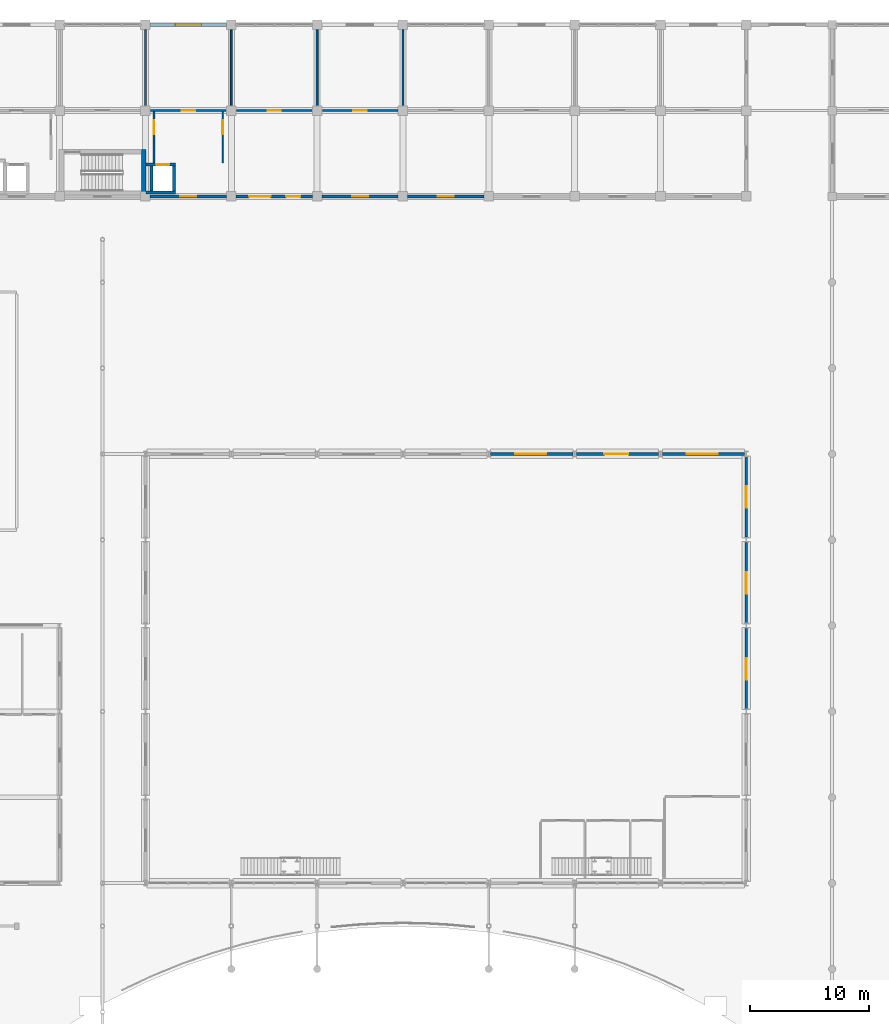
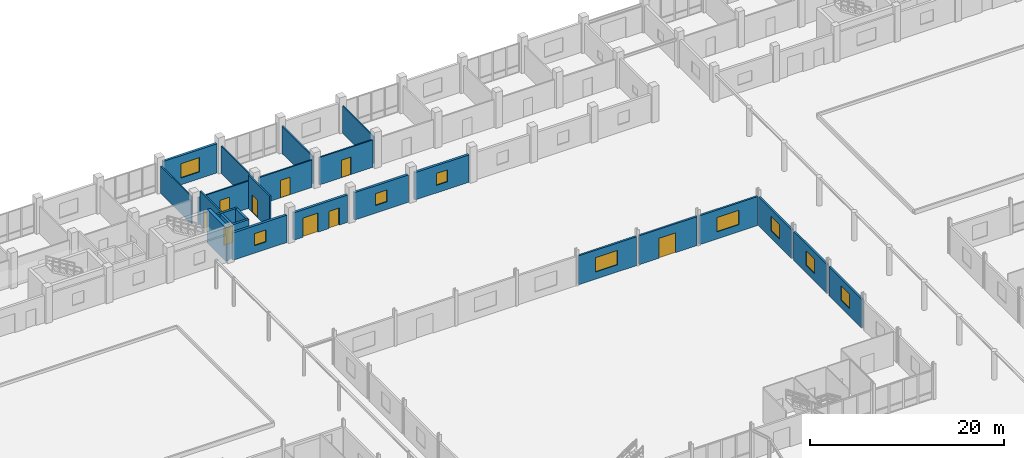
# One storey, part 118 of 139: 25 walls, 9 doors, 9 windows, 18 openings.
"""IFC4 building model written with IfcOpenShell, lengths in metres."""

import ifcopenshell
import ifcopenshell.guid

model = None  # the IFC model being written
_history = None  # IfcOwnerHistory: only IFC2X3 demands one
_inside = {}  # id of a spatial element -> (the spatial element, [elements in it])
_under = {}  # id of a project, library or spatial element -> (it, [spatial elements below it])
_declared = {}  # id of a project -> (the project, [libraries it declares])
_typed = {}  # id of a type object -> (the type object, [elements of that type])
_made_of = {}  # id of a material, layer set ... -> (it, [elements and type objects made of it])


def new_model(schema):
    """Start an empty IFC model of exactly this schema.

    Asked for "IFC4X3", IfcOpenShell would pick the latest addendum, in which some entities
    have other attributes; the version numbers below select the first issue.
    IFC2X3 requires an IfcOwnerHistory on every rooted entity: one is made here for all.
    """
    global model, _history
    if schema == "IFC4X3":
        model = ifcopenshell.file(schema_version=(4, 3, 0, 0))
    else:
        model = ifcopenshell.file(schema=schema)
    _inside.clear()
    _under.clear()
    _declared.clear()
    _typed.clear()
    _made_of.clear()
    _history = None
    if model.schema == "IFC2X3":
        org = make("IfcOrganization", Name="unknown")
        user = make(
            "IfcPersonAndOrganization",
            ThePerson=make("IfcPerson", FamilyName="unknown"),
            TheOrganization=org,
        )
        app = make(
            "IfcApplication",
            ApplicationDeveloper=org,
            Version="unknown",
            ApplicationFullName="unknown",
            ApplicationIdentifier="unknown",
        )
        _history = make(
            "IfcOwnerHistory",
            OwningUser=user,
            OwningApplication=app,
            ChangeAction="ADDED",
            CreationDate=0,
        )
    return model


def make(cls, **values):
    """One entity of the class cls with the attributes given. An attribute that is None is left unset."""
    return model.create_entity(
        cls, **{name: value for name, value in values.items() if value is not None}
    )


def rooted(cls, **values):
    """An entity with a GlobalId (a new one), such as an element, a storey or a relation."""
    return make(cls, GlobalId=ifcopenshell.guid.new(), OwnerHistory=_history, **values)


def si_unit(unit_type, name, prefix=None):
    """IfcSIUnit, for example si_unit("LENGTHUNIT", "METRE", prefix="MILLI")."""
    return make("IfcSIUnit", UnitType=unit_type, Prefix=prefix, Name=name)


def assignment(units):
    """IfcUnitAssignment: the units of a project."""
    return None if units is None else make("IfcUnitAssignment", Units=units)


def point(xyz):
    """IfcCartesianPoint."""
    return None if xyz is None else make("IfcCartesianPoint", Coordinates=xyz)


def direction(xyz):
    """IfcDirection."""
    return None if xyz is None else make("IfcDirection", DirectionRatios=xyz)


def frame(location, z_axis=None, x_axis=None):
    """IfcAxis2Placement3D, a coordinate frame: its origin and axes. An axis left out is left unset."""
    return make(
        "IfcAxis2Placement3D",
        Location=point(location),
        Axis=direction(z_axis),
        RefDirection=direction(x_axis),
    )


def frame_2d(location, x_axis=None):
    """IfcAxis2Placement2D, a coordinate frame in the plane: its origin and x axis."""
    return make(
        "IfcAxis2Placement2D", Location=point(location), RefDirection=direction(x_axis)
    )


def origin():
    """The frame at (0, 0, 0) with its axes left unset."""
    return frame((0.0, 0.0, 0.0))


def place(relative_to, where):
    """IfcLocalPlacement: puts the frame where relative to a parent placement (None: the world)."""
    return make(
        "IfcLocalPlacement", PlacementRelTo=relative_to, RelativePlacement=where
    )


def context(
    kind, dimensions, precision=None, world=None, true_north=None, identifier=None
):
    """IfcGeometricRepresentationContext, for example the 3D "Model" context."""
    return make(
        "IfcGeometricRepresentationContext",
        ContextIdentifier=identifier,
        ContextType=kind,
        CoordinateSpaceDimension=dimensions,
        Precision=precision,
        WorldCoordinateSystem=world,
        TrueNorth=true_north,
    )


def subcontext(parent, identifier, kind, view, scale=None):
    """IfcGeometricRepresentationSubContext, for example "Body" below "Model"."""
    return make(
        "IfcGeometricRepresentationSubContext",
        ContextIdentifier=identifier,
        ContextType=kind,
        ParentContext=parent,
        TargetScale=scale,
        TargetView=view,
    )


def project(units=None, contexts=None):
    """IfcProject with its units and contexts."""
    return rooted(
        "IfcProject",
        Name="project",
        RepresentationContexts=contexts,
        UnitsInContext=assignment(units),
    )


def spatial(cls, under=None, at=None, **own):
    """A site, building, storey or space (cls), placed at a placement, below another one or the project."""
    s = rooted(cls, ObjectPlacement=at, **own)
    if under is not None:
        _under.setdefault(under.id(), (under, []))[1].append(s)
    return s


def profile(cls, at=None, kind="AREA", **sizes):
    """A parametric profile (cls). Its sizes go by their IFC names, for example OverallWidth=200.0."""
    return make(cls, ProfileType=kind, Position=at, **sizes)


def rectangle(**sizes):
    """IfcRectangleProfileDef."""
    return profile("IfcRectangleProfileDef", **sizes)


def extrude(swept, where, along, depth):
    """IfcExtrudedAreaSolid: the profile swept, set in the frame where, extruded along a direction by depth."""
    return make(
        "IfcExtrudedAreaSolid",
        SweptArea=swept,
        Position=where,
        ExtrudedDirection=direction(along),
        Depth=depth,
    )


def shape(context_of_items, identifier, shape_type, items):
    """IfcShapeRepresentation: the items that make up one representation, for example the "Body"."""
    return make(
        "IfcShapeRepresentation",
        ContextOfItems=context_of_items,
        RepresentationIdentifier=identifier,
        RepresentationType=shape_type,
        Items=items,
    )


def material(Name=None, Category=None):
    """IfcMaterial."""
    return make("IfcMaterial", Name=Name, Category=Category)


def layer(
    of_material, thickness, ventilated=None, Name=None, Category=None, Priority=None
):
    """IfcMaterialLayer: one layer of a wall or slab, of a material (None: an air gap)."""
    return make(
        "IfcMaterialLayer",
        Material=of_material,
        LayerThickness=thickness,
        IsVentilated=ventilated,
        Name=Name,
        Category=Category,
        Priority=Priority,
    )


def layer_set(layers, Name=None):
    """IfcMaterialLayerSet."""
    return make("IfcMaterialLayerSet", MaterialLayers=layers, LayerSetName=Name)


def made_of(thing, what):
    """Note that an element or type object is made of a material, layer set ...; save() writes the relation."""
    if what is not None:
        _made_of.setdefault(what.id(), (what, []))[1].append(thing)
    return thing


def type_object(cls, material=None, **own):
    """A type object (cls), such as IfcWallType, which elements share."""
    return made_of(rooted(cls, **own), material)


def element(
    cls,
    number,
    at=None,
    inside=None,
    cuts=None,
    type_object=None,
    material=None,
    context=None,
    identifier="Body",
    shape_type=None,
    held_by="IfcProductDefinitionShape",
    body=None,
    shapes=None,
    **own,
):
    """One element of the class cls, such as IfcWall. Its Tag is "e" and its number.

    at: its placement. inside: the storey or other place that contains it. cuts: it is an
    opening in that element (IfcRelVoidsElement). A single representation is given by context,
    identifier, shape_type and body (its items); several are given by shapes. held_by: the class
    of the entity that holds the representations. save() writes the other relations.
    """
    e = rooted(cls, Tag="e%d" % number, ObjectPlacement=at, **own)
    if body is not None:
        shapes = [shape(context, identifier, shape_type, body)]
    if shapes is not None:
        e.Representation = make(held_by, Representations=shapes)
    if inside is not None:
        _inside.setdefault(inside.id(), (inside, []))[1].append(e)
    if cuts is not None:
        rooted(
            "IfcRelVoidsElement", RelatingBuildingElement=cuts, RelatedOpeningElement=e
        )
    if type_object is not None:
        _typed.setdefault(type_object.id(), (type_object, []))[1].append(e)
    return made_of(e, material)


def fill(opening, filler):
    """IfcRelFillsElement: the door or window that sits in an opening."""
    return rooted(
        "IfcRelFillsElement",
        RelatingOpeningElement=opening,
        RelatedBuildingElement=filler,
    )


def aggregate(whole, parts):
    """IfcRelAggregates: a whole, such as a stair, and the parts it consists of."""
    return rooted("IfcRelAggregates", RelatingObject=whole, RelatedObjects=parts)


def save(model, path):
    """Write the relations noted so far, then the file.

    IfcRelAggregates (storeys below a building ...), IfcRelContainedInSpatialStructure (elements
    in a storey), IfcRelDefinesByType, IfcRelAssociatesMaterial and IfcRelDeclares: one each for
    every whole, place, type object, material and project.
    """
    for whole, parts in _under.values():
        aggregate(whole, parts)
    for where, things in _inside.values():
        rooted(
            "IfcRelContainedInSpatialStructure",
            RelatedElements=things,
            RelatingStructure=where,
        )
    for kind, things in _typed.values():
        rooted("IfcRelDefinesByType", RelatedObjects=things, RelatingType=kind)
    for what, things in _made_of.values():
        rooted("IfcRelAssociatesMaterial", RelatedObjects=things, RelatingMaterial=what)
    for by, libraries in _declared.values():
        rooted("IfcRelDeclares", RelatingContext=by, RelatedDefinitions=libraries)
    model.write(path)


model = new_model("IFC4")

# Units and contexts
model_context = context("Model", 3, precision=1e-05, world=origin(), true_north=direction((0.0, 1.0)))
body_context = subcontext(model_context, "Body", "Model", "MODEL_VIEW")
ifc_project = project(units=[si_unit("LENGTHUNIT", "METRE"), si_unit("AREAUNIT", "SQUARE_METRE"), si_unit("VOLUMEUNIT", "CUBIC_METRE"), si_unit("PLANEANGLEUNIT", "RADIAN"), si_unit("MASSUNIT", "GRAM", prefix="KILO")], contexts=[model_context])

# Site, building, storey
site_placement = place(None, origin())
site = spatial("IfcSite", under=ifc_project, at=site_placement, CompositionType="ELEMENT")
building_placement = place(site_placement, origin())
building = spatial("IfcBuilding", under=site, at=building_placement, Name="Suanplinth Sawtooth Commons", CompositionType="ELEMENT")
storey_placement = place(building_placement, origin())
storey = spatial("IfcBuildingStorey", under=building, at=storey_placement, Name="L00", CompositionType="ELEMENT", Elevation=0.0)

# Wall
ifc_material_1 = material(Name="Concrete C40/50", Category="concrete")
ifc_layer_1 = layer(ifc_material_1, 0.3798828125, Name="Lower high-rise RC core shear wall 380mm")
ifc_layer_set_1 = layer_set([ifc_layer_1], Name="Concrete C40/50")
wall_type_1 = type_object("IfcWallType", Name="W-CR01", PredefinedType="SHEAR", material=ifc_layer_set_1)
wall_1_placement = place(storey_placement, frame((64.639892578125, 108.070068359375, 0.0), z_axis=(0.0, 0.0, 1.0), x_axis=(0.0, 1.0, 0.0)))
element("IfcWall", 1, at=wall_1_placement, inside=storey, type_object=wall_type_1, Name="W-L00-C-A2-STE", PredefinedType="SHEAR", context=body_context, shape_type="SweptSolid", body=[
    extrude(rectangle(XDim=3.85986328125, YDim=0.3798828125, at=frame_2d((1.929931640625, 0.0))), origin(), (0.0, 0.0, 1.0), 4.199951171875),
])

# Wall, opening, window
ifc_material_2 = material(Name="Precast concrete C40/50", Category="concrete")
ifc_layer_2 = layer(ifc_material_2, 0.280029296875, Name="Insulated precast architectural facade wall 280mm")
ifc_layer_set_2 = layer_set([ifc_layer_2], Name="Precast concrete C40/50")
wall_type_2 = type_object("IfcWallType", Name="W-EX01", PredefinedType="ELEMENTEDWALL", material=ifc_layer_set_2)
wall_2_placement = place(storey_placement, frame((65.199951171875, 122.39990234375, 0.0), z_axis=(0.0, 0.0, 1.0), x_axis=(1.0, 0.0, 0.0)))
wall_2 = element("IfcWall", 2, at=wall_2_placement, inside=storey, type_object=wall_type_2, Name="Facade Wall W-L00-A-N-9", PredefinedType="ELEMENTEDWALL", context=body_context, shape_type="SweptSolid", body=[
    extrude(rectangle(XDim=6.400146484375, YDim=0.280029296875, at=frame_2d((3.2001953125, 0.0))), origin(), (0.0, 0.0, 1.0), 3.6650390625),
])
opening_1_placement = place(wall_2_placement, frame((2.10009765625, 0.0, 0.85009765625)))
opening_1 = element("IfcOpeningElement", 3, at=opening_1_placement, cuts=wall_2, Name="Opening W0085", PredefinedType="OPENING", context=body_context, shape_type="SweptSolid", body=[
    extrude(rectangle(XDim=2.199951171875, YDim=1.800048828125, at=frame_2d((1.10009765625, 0.89990234375))), frame((0.0, 0.15478515625, 0.0), z_axis=(0.0, -1.0, 0.0), x_axis=(1.0, 0.0, 0.0)), (0.0, 0.0, 1.0), 0.309814453125),
])
ifc_material_3 = material(Name="Thermally broken aluminium and low-E double glazing", Category="aluminium")
window_type_1 = type_object("IfcWindowType", Name="WN-11", PartitioningType="TRIPLE_PANEL_VERTICAL", PredefinedType="WINDOW", material=ifc_material_3)
window_1_placement = place(opening_1_placement, origin())
window_1 = element("IfcWindow", 4, at=window_1_placement, inside=storey, type_object=window_type_1, Name="Shopfront Window A-9", OverallHeight=1.800048828125, OverallWidth=2.199951171875, PartitioningType="TRIPLE_PANEL_VERTICAL", PredefinedType="WINDOW", context=body_context, shape_type="SweptSolid", body=[
    extrude(rectangle(XDim=2.199951171875, YDim=1.800048828125, at=frame_2d((1.10009765625, 0.89990234375))), frame((0.0, 0.030029296875, 0.0), z_axis=(0.0, -1.0, 0.0), x_axis=(1.0, 0.0, 0.0)), (0.0, 0.0, 1.0), 0.06005859375),
])
fill(opening_1, window_1)

wall_3_placement = place(storey_placement, frame((65.199951171875, 108.0, 0.0), z_axis=(0.0, 0.0, 1.0), x_axis=(1.0, 0.0, 0.0)))
wall_3 = element("IfcWall", 5, at=wall_3_placement, inside=storey, type_object=wall_type_2, Name="Courtyard Wall W-L00-A-S-9", PredefinedType="ELEMENTEDWALL", context=body_context, shape_type="SweptSolid", body=[
    extrude(rectangle(XDim=6.400146484375, YDim=0.280029296875, at=frame_2d((3.2001953125, 0.0))), origin(), (0.0, 0.0, 1.0), 3.43505859375),
])
opening_2_placement = place(wall_3_placement, frame((2.52490234375, 0.0, 0.949951171875)))
opening_2 = element("IfcOpeningElement", 6, at=opening_2_placement, cuts=wall_3, Name="Opening W0086", PredefinedType="OPENING", context=body_context, shape_type="SweptSolid", body=[
    extrude(rectangle(XDim=1.35009765625, YDim=1.5, at=frame_2d((0.675048828125, 0.75))), frame((0.0, 0.15478515625, 0.0), z_axis=(0.0, -1.0, 0.0), x_axis=(1.0, 0.0, 0.0)), (0.0, 0.0, 1.0), 0.309814453125),
])
window_type_2 = type_object("IfcWindowType", Name="WN-14", PartitioningType="SINGLE_PANEL", PredefinedType="WINDOW", material=ifc_material_3)
window_2_placement = place(opening_2_placement, origin())
window_2 = element("IfcWindow", 7, at=window_2_placement, inside=storey, type_object=window_type_2, Name="Courtyard Window L00-A-9", OverallHeight=1.5, OverallWidth=1.35009765625, PartitioningType="SINGLE_PANEL", PredefinedType="WINDOW", context=body_context, shape_type="SweptSolid", body=[
    extrude(rectangle(XDim=1.35009765625, YDim=1.5, at=frame_2d((0.675048828125, 0.75))), frame((0.0, 0.030029296875, 0.0), z_axis=(0.0, -1.0, 0.0), x_axis=(1.0, 0.0, 0.0)), (0.0, 0.0, 1.0), 0.06005859375),
])
fill(opening_2, window_2)

# Wall, openings, doors
wall_4_placement = place(storey_placement, frame((72.39990234375, 108.0, 0.0), z_axis=(0.0, 0.0, 1.0), x_axis=(1.0, 0.0, 0.0)))
wall_4 = element("IfcWall", 8, at=wall_4_placement, inside=storey, type_object=wall_type_2, Name="Courtyard Wall W-L00-A-S-10", PredefinedType="ELEMENTEDWALL", context=body_context, shape_type="SweptSolid", body=[
    extrude(rectangle(XDim=6.400146484375, YDim=0.280029296875, at=frame_2d((3.2001953125, 0.0))), origin(), (0.0, 0.0, 1.0), 3.43505859375),
])
opening_3_placement = place(wall_4_placement, frame((1.10009765625, 0.0, 0.0)))
opening_3 = element("IfcOpeningElement", 9, at=opening_3_placement, cuts=wall_4, Name="Opening ED0024", PredefinedType="OPENING", context=body_context, shape_type="SweptSolid", body=[
    extrude(rectangle(XDim=1.800048828125, YDim=2.39990234375, at=frame_2d((0.89990234375, 1.199951171875))), frame((0.0, 0.15478515625, 0.0), z_axis=(0.0, -1.0, 0.0), x_axis=(1.0, 0.0, 0.0)), (0.0, 0.0, 1.0), 0.309814453125),
])
opening_4_placement = place(wall_4_placement, frame((4.199951171875, 0.0, 0.0)))
opening_4 = element("IfcOpeningElement", 10, at=opening_4_placement, cuts=wall_4, Name="Opening ED0025", PredefinedType="OPENING", context=body_context, shape_type="SweptSolid", body=[
    extrude(rectangle(XDim=1.199951171875, YDim=2.14990234375, at=frame_2d((0.60009765625, 1.074951171875))), frame((0.0, 0.15478515625, 0.0), z_axis=(0.0, -1.0, 0.0), x_axis=(1.0, 0.0, 0.0)), (0.0, 0.0, 1.0), 0.309814453125),
])
ifc_material_4 = material(Name="Anodized aluminium and laminated glass", Category="aluminium")
door_type_1 = type_object("IfcDoorType", Name="ED-01", OperationType="DOUBLE_DOOR_SINGLE_SWING", PredefinedType="DOOR", material=ifc_material_4)
door_1_placement = place(opening_3_placement, frame((1.800048828125, 0.0, 0.0), z_axis=(0.0, 0.0, 1.0), x_axis=(-1.0, 0.0, 0.0)))
door_1 = element("IfcDoor", 11, at=door_1_placement, inside=storey, type_object=door_type_1, Name="Wing A East Courtyard Entrance 10", OperationType="DOUBLE_DOOR_SINGLE_SWING", OverallHeight=2.39990234375, OverallWidth=1.800048828125, PredefinedType="DOOR", context=body_context, shape_type="SweptSolid", body=[
    extrude(rectangle(XDim=1.800048828125, YDim=2.39990234375, at=frame_2d((0.89990234375, 1.199951171875))), frame((0.0, 0.02490234375, 0.0), z_axis=(0.0, -1.0, 0.0), x_axis=(1.0, 0.0, 0.0)), (0.0, 0.0, 1.0), 0.050048828125),
])
fill(opening_3, door_1)
ifc_material_5 = material(Name="Galvanized painted steel", Category="steel")
door_type_2 = type_object("IfcDoorType", Name="ED-07", OperationType="NOTDEFINED", PredefinedType="DOOR", material=ifc_material_5)
door_2_placement = place(opening_4_placement, frame((1.199951171875, 0.0, 0.0), z_axis=(0.0, 0.0, 1.0), x_axis=(-1.0, 0.0, 0.0)))
door_2 = element("IfcDoor", 12, at=door_2_placement, inside=storey, type_object=door_type_2, Name="Stair Final Discharge A-10", OperationType="SINGLE_SWING_LEFT", OverallHeight=2.14990234375, OverallWidth=1.199951171875, PredefinedType="DOOR", context=body_context, shape_type="SweptSolid", body=[
    extrude(rectangle(XDim=1.199951171875, YDim=2.14990234375, at=frame_2d((0.60009765625, 1.074951171875))), frame((0.0, 0.02490234375, 0.0), z_axis=(0.0, -1.0, 0.0), x_axis=(1.0, 0.0, 0.0)), (0.0, 0.0, 1.0), 0.050048828125),
])
fill(opening_4, door_2)

# Wall, opening, window
wall_5_placement = place(storey_placement, frame((79.60009765625, 108.0, 0.0), z_axis=(0.0, 0.0, 1.0), x_axis=(1.0, 0.0, 0.0)))
wall_5 = element("IfcWall", 13, at=wall_5_placement, inside=storey, type_object=wall_type_2, Name="Courtyard Wall W-L00-A-S-11", PredefinedType="ELEMENTEDWALL", context=body_context, shape_type="SweptSolid", body=[
    extrude(rectangle(XDim=6.39990234375, YDim=0.280029296875, at=frame_2d((3.199951171875, 0.0))), origin(), (0.0, 0.0, 1.0), 3.43505859375),
])
opening_5_placement = place(wall_5_placement, frame((2.52490234375, 0.0, 0.949951171875)))
opening_5 = element("IfcOpeningElement", 14, at=opening_5_placement, cuts=wall_5, Name="Opening W0088", PredefinedType="OPENING", context=body_context, shape_type="SweptSolid", body=[
    extrude(rectangle(XDim=1.35009765625, YDim=1.5, at=frame_2d((0.675048828125, 0.75))), frame((0.0, 0.15478515625, 0.0), z_axis=(0.0, -1.0, 0.0), x_axis=(1.0, 0.0, 0.0)), (0.0, 0.0, 1.0), 0.309814453125),
])
window_3_placement = place(opening_5_placement, origin())
window_3 = element("IfcWindow", 15, at=window_3_placement, inside=storey, type_object=window_type_2, Name="Courtyard Window L00-A-11", OverallHeight=1.5, OverallWidth=1.35009765625, PartitioningType="SINGLE_PANEL", PredefinedType="WINDOW", context=body_context, shape_type="SweptSolid", body=[
    extrude(rectangle(XDim=1.35009765625, YDim=1.5, at=frame_2d((0.675048828125, 0.75))), frame((0.0, 0.030029296875, 0.0), z_axis=(0.0, -1.0, 0.0), x_axis=(1.0, 0.0, 0.0)), (0.0, 0.0, 1.0), 0.06005859375),
])
fill(opening_5, window_3)

wall_6_placement = place(storey_placement, frame((86.800048828125, 108.0, 0.0), z_axis=(0.0, 0.0, 1.0), x_axis=(1.0, 0.0, 0.0)))
wall_6 = element("IfcWall", 16, at=wall_6_placement, inside=storey, type_object=wall_type_2, Name="Courtyard Wall W-L00-A-S-12", PredefinedType="ELEMENTEDWALL", context=body_context, shape_type="SweptSolid", body=[
    extrude(rectangle(XDim=6.39990234375, YDim=0.280029296875, at=frame_2d((3.199951171875, 0.0))), origin(), (0.0, 0.0, 1.0), 3.43505859375),
])
opening_6_placement = place(wall_6_placement, frame((2.52490234375, 0.0, 0.949951171875)))
opening_6 = element("IfcOpeningElement", 17, at=opening_6_placement, cuts=wall_6, Name="Opening W0089", PredefinedType="OPENING", context=body_context, shape_type="SweptSolid", body=[
    extrude(rectangle(XDim=1.35009765625, YDim=1.5, at=frame_2d((0.675048828125, 0.75))), frame((0.0, 0.15478515625, 0.0), z_axis=(0.0, -1.0, 0.0), x_axis=(1.0, 0.0, 0.0)), (0.0, 0.0, 1.0), 0.309814453125),
])
window_4_placement = place(opening_6_placement, origin())
window_4 = element("IfcWindow", 18, at=window_4_placement, inside=storey, type_object=window_type_2, Name="Courtyard Window L00-A-12", OverallHeight=1.5, OverallWidth=1.35009765625, PartitioningType="SINGLE_PANEL", PredefinedType="WINDOW", context=body_context, shape_type="SweptSolid", body=[
    extrude(rectangle(XDim=1.35009765625, YDim=1.5, at=frame_2d((0.675048828125, 0.75))), frame((0.0, 0.030029296875, 0.0), z_axis=(0.0, -1.0, 0.0), x_axis=(1.0, 0.0, 0.0)), (0.0, 0.0, 1.0), 0.06005859375),
])
fill(opening_6, window_4)

ifc_layer_3 = layer(ifc_material_2, 0.219970703125, Name="Civic pavilion insulated facade wall 220mm")
ifc_layer_set_3 = layer_set([ifc_layer_3], Name="Precast concrete C40/50")
wall_type_3 = type_object("IfcWallType", Name="W-EX05", PredefinedType="ELEMENTEDWALL", material=ifc_layer_set_3)
wall_7_placement = place(storey_placement, frame((93.75, 86.39990234375, 0.0), z_axis=(0.0, 0.0, 1.0), x_axis=(1.0, 0.0, 0.0)))
wall_7 = element("IfcWall", 19, at=wall_7_placement, inside=storey, type_object=wall_type_3, Name="Hall North Facade Wall L00-4", PredefinedType="ELEMENTEDWALL", context=body_context, shape_type="SweptSolid", body=[
    extrude(rectangle(XDim=6.89990234375, YDim=0.219970703125, at=frame_2d((3.449951171875, 0.0))), origin(), (0.0, 0.0, 1.0), 3.635009765625),
])
opening_7_placement = place(wall_7_placement, frame((2.050048828125, 0.0, 0.89990234375)))
opening_7 = element("IfcOpeningElement", 20, at=opening_7_placement, cuts=wall_7, Name="Opening W0004", PredefinedType="OPENING", context=body_context, shape_type="SweptSolid", body=[
    extrude(rectangle(XDim=2.60009765625, YDim=1.800048828125, at=frame_2d((1.300048828125, 0.89990234375))), frame((0.0, 0.125, 0.0), z_axis=(0.0, -1.0, 0.0), x_axis=(1.0, 0.0, 0.0)), (0.0, 0.0, 1.0), 0.249755859375),
])
window_type_3 = type_object("IfcWindowType", Name="WN-13", PartitioningType="TRIPLE_PANEL_VERTICAL", PredefinedType="WINDOW", material=ifc_material_3)
window_5_placement = place(opening_7_placement, origin())
window_5 = element("IfcWindow", 21, at=window_5_placement, inside=storey, type_object=window_type_3, Name="Hall North Window L00-4", OverallHeight=1.800048828125, OverallWidth=2.60009765625, PartitioningType="TRIPLE_PANEL_VERTICAL", PredefinedType="WINDOW", context=body_context, shape_type="SweptSolid", body=[
    extrude(rectangle(XDim=2.60009765625, YDim=1.800048828125, at=frame_2d((1.300048828125, 0.89990234375))), frame((0.0, 0.030029296875, 0.0), z_axis=(0.0, -1.0, 0.0), x_axis=(1.0, 0.0, 0.0)), (0.0, 0.0, 1.0), 0.06005859375),
])
fill(opening_7, window_5)

# Wall, opening, door
wall_8_placement = place(storey_placement, frame((100.949951171875, 86.39990234375, 0.0), z_axis=(0.0, 0.0, 1.0), x_axis=(1.0, 0.0, 0.0)))
wall_8 = element("IfcWall", 22, at=wall_8_placement, inside=storey, type_object=wall_type_3, Name="Hall North Facade Wall L00-5", PredefinedType="ELEMENTEDWALL", context=body_context, shape_type="SweptSolid", body=[
    extrude(rectangle(XDim=6.900146484375, YDim=0.219970703125, at=frame_2d((3.4501953125, 0.0))), origin(), (0.0, 0.0, 1.0), 3.635009765625),
])
opening_8_placement = place(wall_8_placement, frame((2.35009765625, 0.0, 0.0)))
opening_8 = element("IfcOpeningElement", 23, at=opening_8_placement, cuts=wall_8, Name="Opening ED0008", PredefinedType="OPENING", context=body_context, shape_type="SweptSolid", body=[
    extrude(rectangle(XDim=2.0, YDim=2.5, at=frame_2d((1.0, 1.25))), frame((0.0, 0.125, 0.0), z_axis=(0.0, -1.0, 0.0), x_axis=(1.0, 0.0, 0.0)), (0.0, 0.0, 1.0), 0.249755859375),
])
door_type_3 = type_object("IfcDoorType", Name="ED-02", OperationType="DOUBLE_DOOR_SINGLE_SWING", PredefinedType="DOOR", material=ifc_material_4)
door_3_placement = place(opening_8_placement, frame((2.0, 0.0, 0.0), z_axis=(0.0, 0.0, 1.0), x_axis=(-1.0, 0.0, 0.0)))
door_3 = element("IfcDoor", 24, at=door_3_placement, inside=storey, type_object=door_type_3, Name="Hall North Courtyard Exit 5", OperationType="DOUBLE_DOOR_SINGLE_SWING", OverallHeight=2.5, OverallWidth=2.0, PredefinedType="DOOR", context=body_context, shape_type="SweptSolid", body=[
    extrude(rectangle(XDim=2.0, YDim=2.5, at=frame_2d((1.0, 1.25))), frame((0.0, 0.02490234375, 0.0), z_axis=(0.0, -1.0, 0.0), x_axis=(1.0, 0.0, 0.0)), (0.0, 0.0, 1.0), 0.050048828125),
])
fill(opening_8, door_3)

# Wall, opening, window
wall_9_placement = place(storey_placement, frame((108.14990234375, 86.39990234375, 0.0), z_axis=(0.0, 0.0, 1.0), x_axis=(1.0, 0.0, 0.0)))
wall_9 = element("IfcWall", 25, at=wall_9_placement, inside=storey, type_object=wall_type_3, Name="Hall North Facade Wall L00-6", PredefinedType="ELEMENTEDWALL", context=body_context, shape_type="SweptSolid", body=[
    extrude(rectangle(XDim=6.900146484375, YDim=0.219970703125, at=frame_2d((3.4501953125, 0.0))), origin(), (0.0, 0.0, 1.0), 3.635009765625),
])
opening_9_placement = place(wall_9_placement, frame((2.050048828125, 0.0, 0.89990234375)))
opening_9 = element("IfcOpeningElement", 26, at=opening_9_placement, cuts=wall_9, Name="Opening W0005", PredefinedType="OPENING", context=body_context, shape_type="SweptSolid", body=[
    extrude(rectangle(XDim=2.60009765625, YDim=1.800048828125, at=frame_2d((1.300048828125, 0.89990234375))), frame((0.0, 0.125, 0.0), z_axis=(0.0, -1.0, 0.0), x_axis=(1.0, 0.0, 0.0)), (0.0, 0.0, 1.0), 0.249755859375),
])
window_6_placement = place(opening_9_placement, origin())
window_6 = element("IfcWindow", 27, at=window_6_placement, inside=storey, type_object=window_type_3, Name="Hall North Window L00-6", OverallHeight=1.800048828125, OverallWidth=2.60009765625, PartitioningType="TRIPLE_PANEL_VERTICAL", PredefinedType="WINDOW", context=body_context, shape_type="SweptSolid", body=[
    extrude(rectangle(XDim=2.60009765625, YDim=1.800048828125, at=frame_2d((1.300048828125, 0.89990234375))), frame((0.0, 0.030029296875, 0.0), z_axis=(0.0, -1.0, 0.0), x_axis=(1.0, 0.0, 0.0)), (0.0, 0.0, 1.0), 0.06005859375),
])
fill(opening_9, window_6)

wall_10_placement = place(storey_placement, frame((115.199951171875, 65.02490234375, 0.0), z_axis=(0.0, 0.0, 1.0), x_axis=(0.0, 1.0, 0.0)))
wall_10 = element("IfcWall", 28, at=wall_10_placement, inside=storey, type_object=wall_type_3, Name="Hall E Wall L00-9", PredefinedType="ELEMENTEDWALL", context=body_context, shape_type="SweptSolid", body=[
    extrude(rectangle(XDim=6.75, YDim=0.219970703125, at=frame_2d((3.375, 0.0))), origin(), (0.0, 0.0, 1.0), 3.635009765625),
])
opening_10_placement = place(wall_10_placement, frame((2.449951171875, 0.0, 0.949951171875)))
opening_10 = element("IfcOpeningElement", 29, at=opening_10_placement, cuts=wall_10, Name="Opening W0016", PredefinedType="OPENING", context=body_context, shape_type="SweptSolid", body=[
    extrude(rectangle(XDim=1.800048828125, YDim=1.800048828125, at=frame_2d((0.89990234375, 0.89990234375))), frame((0.0, 0.125, 0.0), z_axis=(0.0, -1.0, 0.0), x_axis=(1.0, 0.0, 0.0)), (0.0, 0.0, 1.0), 0.249755859375),
])
window_type_4 = type_object("IfcWindowType", Name="WN-07", PartitioningType="DOUBLE_PANEL_VERTICAL", PredefinedType="WINDOW", material=ifc_material_3)
window_7_placement = place(opening_10_placement, origin())
window_7 = element("IfcWindow", 30, at=window_7_placement, inside=storey, type_object=window_type_4, Name="Hall E Window L00-9", OverallHeight=1.800048828125, OverallWidth=1.800048828125, PartitioningType="DOUBLE_PANEL_VERTICAL", PredefinedType="WINDOW", context=body_context, shape_type="SweptSolid", body=[
    extrude(rectangle(XDim=1.800048828125, YDim=1.800048828125, at=frame_2d((0.89990234375, 0.89990234375))), frame((0.0, 0.030029296875, 0.0), z_axis=(0.0, -1.0, 0.0), x_axis=(1.0, 0.0, 0.0)), (0.0, 0.0, 1.0), 0.06005859375),
])
fill(opening_10, window_7)

wall_11_placement = place(storey_placement, frame((115.199951171875, 72.22509765625, 0.0), z_axis=(0.0, 0.0, 1.0), x_axis=(0.0, 1.0, 0.0)))
wall_11 = element("IfcWall", 31, at=wall_11_placement, inside=storey, type_object=wall_type_3, Name="Hall E Wall L00-10", PredefinedType="ELEMENTEDWALL", context=body_context, shape_type="SweptSolid", body=[
    extrude(rectangle(XDim=6.75, YDim=0.219970703125, at=frame_2d((3.375, 0.0))), origin(), (0.0, 0.0, 1.0), 3.635009765625),
])
opening_11_placement = place(wall_11_placement, frame((2.449951171875, 0.0, 0.949951171875)))
opening_11 = element("IfcOpeningElement", 32, at=opening_11_placement, cuts=wall_11, Name="Opening W0020", PredefinedType="OPENING", context=body_context, shape_type="SweptSolid", body=[
    extrude(rectangle(XDim=1.800048828125, YDim=1.800048828125, at=frame_2d((0.89990234375, 0.89990234375))), frame((0.0, 0.125, 0.0), z_axis=(0.0, -1.0, 0.0), x_axis=(1.0, 0.0, 0.0)), (0.0, 0.0, 1.0), 0.249755859375),
])
window_8_placement = place(opening_11_placement, origin())
window_8 = element("IfcWindow", 33, at=window_8_placement, inside=storey, type_object=window_type_4, Name="Hall E Window L00-10", OverallHeight=1.800048828125, OverallWidth=1.800048828125, PartitioningType="DOUBLE_PANEL_VERTICAL", PredefinedType="WINDOW", context=body_context, shape_type="SweptSolid", body=[
    extrude(rectangle(XDim=1.800048828125, YDim=1.800048828125, at=frame_2d((0.89990234375, 0.89990234375))), frame((0.0, 0.030029296875, 0.0), z_axis=(0.0, -1.0, 0.0), x_axis=(1.0, 0.0, 0.0)), (0.0, 0.0, 1.0), 0.06005859375),
])
fill(opening_11, window_8)

wall_12_placement = place(storey_placement, frame((115.199951171875, 79.425048828125, 0.0), z_axis=(0.0, 0.0, 1.0), x_axis=(0.0, 1.0, 0.0)))
wall_12 = element("IfcWall", 34, at=wall_12_placement, inside=storey, type_object=wall_type_3, Name="Hall E Wall L00-11", PredefinedType="ELEMENTEDWALL", context=body_context, shape_type="SweptSolid", body=[
    extrude(rectangle(XDim=6.75, YDim=0.219970703125, at=frame_2d((3.375, 0.0))), origin(), (0.0, 0.0, 1.0), 3.635009765625),
])
opening_12_placement = place(wall_12_placement, frame((2.449951171875, 0.0, 0.949951171875)))
opening_12 = element("IfcOpeningElement", 35, at=opening_12_placement, cuts=wall_12, Name="Opening W0024", PredefinedType="OPENING", context=body_context, shape_type="SweptSolid", body=[
    extrude(rectangle(XDim=1.800048828125, YDim=1.800048828125, at=frame_2d((0.89990234375, 0.89990234375))), frame((0.0, 0.125, 0.0), z_axis=(0.0, -1.0, 0.0), x_axis=(1.0, 0.0, 0.0)), (0.0, 0.0, 1.0), 0.249755859375),
])
window_9_placement = place(opening_12_placement, origin())
window_9 = element("IfcWindow", 36, at=window_9_placement, inside=storey, type_object=window_type_4, Name="Hall E Window L00-11", OverallHeight=1.800048828125, OverallWidth=1.800048828125, PartitioningType="DOUBLE_PANEL_VERTICAL", PredefinedType="WINDOW", context=body_context, shape_type="SweptSolid", body=[
    extrude(rectangle(XDim=1.800048828125, YDim=1.800048828125, at=frame_2d((0.89990234375, 0.89990234375))), frame((0.0, 0.030029296875, 0.0), z_axis=(0.0, -1.0, 0.0), x_axis=(1.0, 0.0, 0.0)), (0.0, 0.0, 1.0), 0.06005859375),
])
fill(opening_12, window_9)

# Wall, opening, door
ifc_layer_4 = layer(ifc_material_2, 0.159912109375, Name="Fire-rated corridor and lobby wall 160mm")
ifc_layer_set_4 = layer_set([ifc_layer_4], Name="Precast concrete C40/50")
wall_type_4 = type_object("IfcWallType", Name="W-FW01", PredefinedType="PARTITIONING", material=ifc_layer_set_4)
wall_13_placement = place(storey_placement, frame((65.52001953125, 110.800048828125, 0.0), z_axis=(0.0, 0.0, 1.0), x_axis=(0.0, 1.0, 0.0)))
wall_13 = element("IfcWall", 37, at=wall_13_placement, inside=storey, type_object=wall_type_4, Name="W-L00-C-A2-LOB-W", PredefinedType="PARTITIONING", context=body_context, shape_type="SweptSolid", body=[
    extrude(rectangle(XDim=4.320068359375, YDim=0.159912109375, at=frame_2d((2.16015625, 0.0))), origin(), (0.0, 0.0, 1.0), 4.199951171875),
])
opening_13_placement = place(wall_13_placement, frame((2.39990234375, 0.0, 0.0)))
opening_13 = element("IfcOpeningElement", 38, at=opening_13_placement, cuts=wall_13, Name="Opening FD0091", PredefinedType="OPENING", context=body_context, shape_type="SweptSolid", body=[
    extrude(rectangle(XDim=1.199951171875, YDim=2.199951171875, at=frame_2d((0.60009765625, 1.10009765625))), frame((0.0, 0.0947265625, 0.0), z_axis=(0.0, -1.0, 0.0), x_axis=(1.0, 0.0, 0.0)), (0.0, 0.0, 1.0), 0.189697265625),
])
ifc_material_6 = material(Name="Teak hardwood fire-rated door assembly", Category="wood")
door_type_4 = type_object("IfcDoorType", Name="FD-02", OperationType="NOTDEFINED", PredefinedType="DOOR", material=ifc_material_6)
door_4_placement = place(opening_13_placement, origin())
door_4 = element("IfcDoor", 39, at=door_4_placement, inside=storey, type_object=door_type_4, Name="Lobby Fire Door FD0091", OperationType="SINGLE_SWING_LEFT", OverallHeight=2.199951171875, OverallWidth=1.199951171875, PredefinedType="DOOR", context=body_context, shape_type="SweptSolid", body=[
    extrude(rectangle(XDim=1.199951171875, YDim=2.199951171875, at=frame_2d((0.60009765625, 1.10009765625))), frame((0.0, 0.02490234375, 0.0), z_axis=(0.0, -1.0, 0.0), x_axis=(1.0, 0.0, 0.0)), (0.0, 0.0, 1.0), 0.050048828125),
])
fill(opening_13, door_4)

wall_14_placement = place(storey_placement, frame((71.280029296875, 110.800048828125, 0.0), z_axis=(0.0, 0.0, 1.0), x_axis=(0.0, 1.0, 0.0)))
wall_14 = element("IfcWall", 40, at=wall_14_placement, inside=storey, type_object=wall_type_4, Name="W-L00-C-A2-LOB-E", PredefinedType="PARTITIONING", context=body_context, shape_type="SweptSolid", body=[
    extrude(rectangle(XDim=4.320068359375, YDim=0.159912109375, at=frame_2d((2.16015625, 0.0))), origin(), (0.0, 0.0, 1.0), 4.199951171875),
])
opening_14_placement = place(wall_14_placement, frame((2.39990234375, 0.0, 0.0)))
opening_14 = element("IfcOpeningElement", 41, at=opening_14_placement, cuts=wall_14, Name="Opening FD0092", PredefinedType="OPENING", context=body_context, shape_type="SweptSolid", body=[
    extrude(rectangle(XDim=1.199951171875, YDim=2.199951171875, at=frame_2d((0.60009765625, 1.10009765625))), frame((0.0, 0.0947265625, 0.0), z_axis=(0.0, -1.0, 0.0), x_axis=(1.0, 0.0, 0.0)), (0.0, 0.0, 1.0), 0.189697265625),
])
door_5_placement = place(opening_14_placement, frame((1.199951171875, 0.0, 0.0), z_axis=(0.0, 0.0, 1.0), x_axis=(-1.0, 0.0, 0.0)))
door_5 = element("IfcDoor", 42, at=door_5_placement, inside=storey, type_object=door_type_4, Name="Lobby Fire Door FD0092", OperationType="SINGLE_SWING_RIGHT", OverallHeight=2.199951171875, OverallWidth=1.199951171875, PredefinedType="DOOR", context=body_context, shape_type="SweptSolid", body=[
    extrude(rectangle(XDim=1.199951171875, YDim=2.199951171875, at=frame_2d((0.60009765625, 1.10009765625))), frame((0.0, 0.02490234375, 0.0), z_axis=(0.0, -1.0, 0.0), x_axis=(1.0, 0.0, 0.0)), (0.0, 0.0, 1.0), 0.050048828125),
])
fill(opening_14, door_5)

wall_15_placement = place(storey_placement, frame((65.22998046875, 115.199951171875, 0.0), z_axis=(0.0, 0.0, 1.0), x_axis=(1.0, 0.0, 0.0)))
wall_15 = element("IfcWall", 43, at=wall_15_placement, inside=storey, type_object=wall_type_4, Name="W-A-L00-GROUNDROOM-9-COR", PredefinedType="PARTITIONING", context=body_context, shape_type="SweptSolid", body=[
    extrude(rectangle(XDim=6.340087890625, YDim=0.159912109375, at=frame_2d((3.169921875, 0.0))), origin(), (0.0, 0.0, 1.0), 3.43505859375),
])
opening_15_placement = place(wall_15_placement, frame((2.610107421875, 0.0, 0.0)))
opening_15 = element("IfcOpeningElement", 44, at=opening_15_placement, cuts=wall_15, Name="Opening D0479", PredefinedType="OPENING", context=body_context, shape_type="SweptSolid", body=[
    extrude(rectangle(XDim=1.1201171875, YDim=2.199951171875, at=frame_2d((0.56005859375, 1.10009765625))), frame((0.0, 0.0947265625, 0.0), z_axis=(0.0, -1.0, 0.0), x_axis=(1.0, 0.0, 0.0)), (0.0, 0.0, 1.0), 0.189697265625),
])
ifc_material_7 = material(Name="Teak hardwood", Category="wood")
door_type_5 = type_object("IfcDoorType", Name="D-18", OperationType="NOTDEFINED", PredefinedType="DOOR", material=ifc_material_7)
door_6_placement = place(opening_15_placement, origin())
door_6 = element("IfcDoor", 45, at=door_6_placement, inside=storey, type_object=door_type_5, Name="Unit Entrance Door D0479", OperationType="SINGLE_SWING_LEFT", OverallHeight=2.199951171875, OverallWidth=1.1201171875, PredefinedType="DOOR", context=body_context, shape_type="SweptSolid", body=[
    extrude(rectangle(XDim=1.1201171875, YDim=2.199951171875, at=frame_2d((0.56005859375, 1.10009765625))), frame((0.0, 0.02490234375, 0.0), z_axis=(0.0, -1.0, 0.0), x_axis=(1.0, 0.0, 0.0)), (0.0, 0.0, 1.0), 0.050048828125),
])
fill(opening_15, door_6)

wall_16_placement = place(storey_placement, frame((72.429931640625, 115.199951171875, 0.0), z_axis=(0.0, 0.0, 1.0), x_axis=(1.0, 0.0, 0.0)))
wall_16 = element("IfcWall", 46, at=wall_16_placement, inside=storey, type_object=wall_type_4, Name="W-A-L00-GROUNDROOM-10-COR", PredefinedType="PARTITIONING", context=body_context, shape_type="SweptSolid", body=[
    extrude(rectangle(XDim=6.340087890625, YDim=0.159912109375, at=frame_2d((3.169921875, 0.0))), origin(), (0.0, 0.0, 1.0), 3.43505859375),
])
opening_16_placement = place(wall_16_placement, frame((2.610107421875, 0.0, 0.0)))
opening_16 = element("IfcOpeningElement", 47, at=opening_16_placement, cuts=wall_16, Name="Opening D0480", PredefinedType="OPENING", context=body_context, shape_type="SweptSolid", body=[
    extrude(rectangle(XDim=1.1201171875, YDim=2.199951171875, at=frame_2d((0.56005859375, 1.10009765625))), frame((0.0, 0.0947265625, 0.0), z_axis=(0.0, -1.0, 0.0), x_axis=(1.0, 0.0, 0.0)), (0.0, 0.0, 1.0), 0.189697265625),
])
door_7_placement = place(opening_16_placement, origin())
door_7 = element("IfcDoor", 48, at=door_7_placement, inside=storey, type_object=door_type_5, Name="Unit Entrance Door D0480", OperationType="SINGLE_SWING_RIGHT", OverallHeight=2.199951171875, OverallWidth=1.1201171875, PredefinedType="DOOR", context=body_context, shape_type="SweptSolid", body=[
    extrude(rectangle(XDim=1.1201171875, YDim=2.199951171875, at=frame_2d((0.56005859375, 1.10009765625))), frame((0.0, 0.02490234375, 0.0), z_axis=(0.0, -1.0, 0.0), x_axis=(1.0, 0.0, 0.0)), (0.0, 0.0, 1.0), 0.050048828125),
])
fill(opening_16, door_7)

wall_17_placement = place(storey_placement, frame((79.6298828125, 115.199951171875, 0.0), z_axis=(0.0, 0.0, 1.0), x_axis=(1.0, 0.0, 0.0)))
wall_17 = element("IfcWall", 49, at=wall_17_placement, inside=storey, type_object=wall_type_4, Name="W-A-L00-GROUNDROOM-11-COR", PredefinedType="PARTITIONING", context=body_context, shape_type="SweptSolid", body=[
    extrude(rectangle(XDim=6.340087890625, YDim=0.159912109375, at=frame_2d((3.169921875, 0.0))), origin(), (0.0, 0.0, 1.0), 3.43505859375),
])
opening_17_placement = place(wall_17_placement, frame((2.610107421875, 0.0, 0.0)))
opening_17 = element("IfcOpeningElement", 50, at=opening_17_placement, cuts=wall_17, Name="Opening D0481", PredefinedType="OPENING", context=body_context, shape_type="SweptSolid", body=[
    extrude(rectangle(XDim=1.1201171875, YDim=2.199951171875, at=frame_2d((0.56005859375, 1.10009765625))), frame((0.0, 0.0947265625, 0.0), z_axis=(0.0, -1.0, 0.0), x_axis=(1.0, 0.0, 0.0)), (0.0, 0.0, 1.0), 0.189697265625),
])
door_8_placement = place(opening_17_placement, origin())
door_8 = element("IfcDoor", 51, at=door_8_placement, inside=storey, type_object=door_type_5, Name="Unit Entrance Door D0481", OperationType="SINGLE_SWING_LEFT", OverallHeight=2.199951171875, OverallWidth=1.1201171875, PredefinedType="DOOR", context=body_context, shape_type="SweptSolid", body=[
    extrude(rectangle(XDim=1.1201171875, YDim=2.199951171875, at=frame_2d((0.56005859375, 1.10009765625))), frame((0.0, 0.02490234375, 0.0), z_axis=(0.0, -1.0, 0.0), x_axis=(1.0, 0.0, 0.0)), (0.0, 0.0, 1.0), 0.050048828125),
])
fill(opening_17, door_8)

# Walls
ifc_layer_5 = layer(ifc_material_2, 0.14990234375, Name="Acoustic precast party demising wall 150mm")
ifc_layer_set_5 = layer_set([ifc_layer_5], Name="Precast concrete C40/50")
wall_type_5 = type_object("IfcWallType", Name="W-FW02", PredefinedType="PARTITIONING", material=ifc_layer_set_5)
for number, where, z_axis, x_axis, name in (
    (52, (64.800048828125, 115.6298828125, 0.0), (0.0, 0.0, 1.0), (0.0, 1.0, 0.0), "W-A-L00-GROUNDROOM-8-PTY"),
    (53, (72.0, 115.6298828125, 0.0), (0.0, 0.0, 1.0), (0.0, 1.0, 0.0), "W-A-L00-GROUNDROOM-9-PTY"),
    (54, (79.199951171875, 115.6298828125, 0.0), (0.0, 0.0, 1.0), (0.0, 1.0, 0.0), "W-A-L00-GROUNDROOM-10-PTY"),
    (55, (86.39990234375, 115.6298828125, 0.0), (0.0, 0.0, 1.0), (0.0, 1.0, 0.0), "W-A-L00-GROUNDROOM-11-PTY"),
):
    element("IfcWall", number, at=place(storey_placement, frame(where, z_axis=z_axis, x_axis=x_axis)), inside=storey, type_object=wall_type_5, Name=name, PredefinedType="PARTITIONING", context=body_context, shape_type="SweptSolid", body=[
        extrude(rectangle(XDim=6.340087890625, YDim=0.14990234375, at=frame_2d((3.169921875, 0.0))), origin(), (0.0, 0.0, 1.0), 3.43505859375),
    ])
ifc_layer_6 = layer(ifc_material_2, 0.25, Name="Precast structural shear wall 250mm")
ifc_layer_set_6 = layer_set([ifc_layer_6], Name="Precast concrete C40/50")
wall_type_6 = type_object("IfcWallType", Name="W-SH01", PredefinedType="SHEAR", material=ifc_layer_set_6)
wall_18_placement = place(storey_placement, frame((64.830078125, 108.324951171875, 0.0), z_axis=(0.0, 0.0, 1.0), x_axis=(1.0, 0.0, 0.0)))
element("IfcWall", 56, at=wall_18_placement, inside=storey, type_object=wall_type_6, Name="W-L00-LF2-S", PredefinedType="SHEAR", context=body_context, shape_type="SweptSolid", body=[
    extrude(rectangle(XDim=2.469970703125, YDim=0.25, at=frame_2d((1.23486328125, 0.0))), origin(), (0.0, 0.0, 1.0), 4.199951171875),
])

# Wall, opening, door
wall_19_placement = place(storey_placement, frame((64.830078125, 110.675048828125, 0.0), z_axis=(0.0, 0.0, 1.0), x_axis=(1.0, 0.0, 0.0)))
wall_19 = element("IfcWall", 57, at=wall_19_placement, inside=storey, type_object=wall_type_6, Name="W-L00-LF2-N", PredefinedType="SHEAR", context=body_context, shape_type="SweptSolid", body=[
    extrude(rectangle(XDim=2.469970703125, YDim=0.25, at=frame_2d((1.23486328125, 0.0))), origin(), (0.0, 0.0, 1.0), 4.199951171875),
])
opening_18_placement = place(wall_19_placement, frame((0.8701171875, 0.0, 0.0)))
opening_18 = element("IfcOpeningElement", 58, at=opening_18_placement, cuts=wall_19, Name="Opening LD0093", PredefinedType="OPENING", context=body_context, shape_type="SweptSolid", body=[
    extrude(rectangle(XDim=1.10009765625, YDim=2.14990234375, at=frame_2d((0.550048828125, 1.074951171875))), frame((0.0, 0.139892578125, 0.0), z_axis=(0.0, -1.0, 0.0), x_axis=(1.0, 0.0, 0.0)), (0.0, 0.0, 1.0), 0.27978515625),
])
ifc_material_8 = material(Name="Stainless steel Grade 304", Category="steel")
door_type_6 = type_object("IfcDoorType", Name="LD-01", OperationType="SLIDING_TO_LEFT", PredefinedType="DOOR", material=ifc_material_8)
door_9_placement = place(opening_18_placement, origin())
door_9 = element("IfcDoor", 59, at=door_9_placement, inside=storey, type_object=door_type_6, Name="Lift Landing Sliding Door LF2 L00", OperationType="SLIDING_TO_LEFT", OverallHeight=2.14990234375, OverallWidth=1.10009765625, PredefinedType="DOOR", context=body_context, shape_type="SweptSolid", body=[
    extrude(rectangle(XDim=1.10009765625, YDim=2.14990234375, at=frame_2d((0.550048828125, 1.074951171875))), frame((0.0, 0.02490234375, 0.0), z_axis=(0.0, -1.0, 0.0), x_axis=(1.0, 0.0, 0.0)), (0.0, 0.0, 1.0), 0.050048828125),
])
fill(opening_18, door_9)

# Walls
for number, where, z_axis, x_axis, name in (
    (60, (65.324951171875, 108.449951171875, 0.0), (0.0, 0.0, 1.0), (0.0, 1.0, 0.0), "W-L00-LF2-W"),
    (61, (67.175048828125, 108.449951171875, 0.0), (0.0, 0.0, 1.0), (0.0, 1.0, 0.0), "W-L00-LF2-E"),
):
    element("IfcWall", number, at=place(storey_placement, frame(where, z_axis=z_axis, x_axis=x_axis)), inside=storey, type_object=wall_type_6, Name=name, PredefinedType="SHEAR", context=body_context, shape_type="SweptSolid", body=[
        extrude(rectangle(XDim=2.10009765625, YDim=0.25, at=frame_2d((1.050048828125, 0.0))), origin(), (0.0, 0.0, 1.0), 4.199951171875),
    ])

save(model, "model.ifc")
